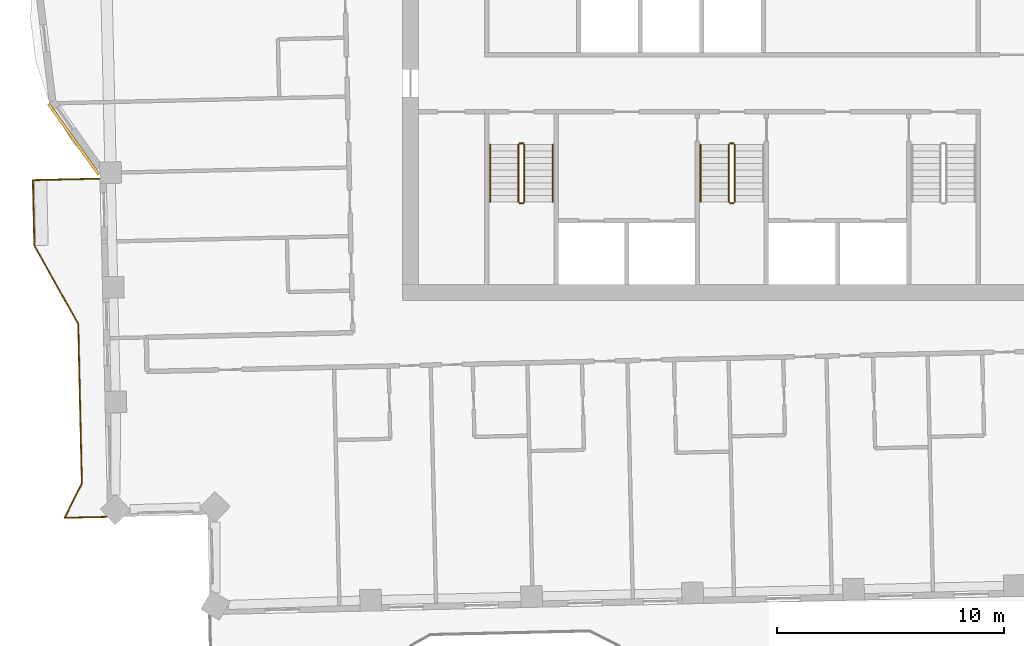
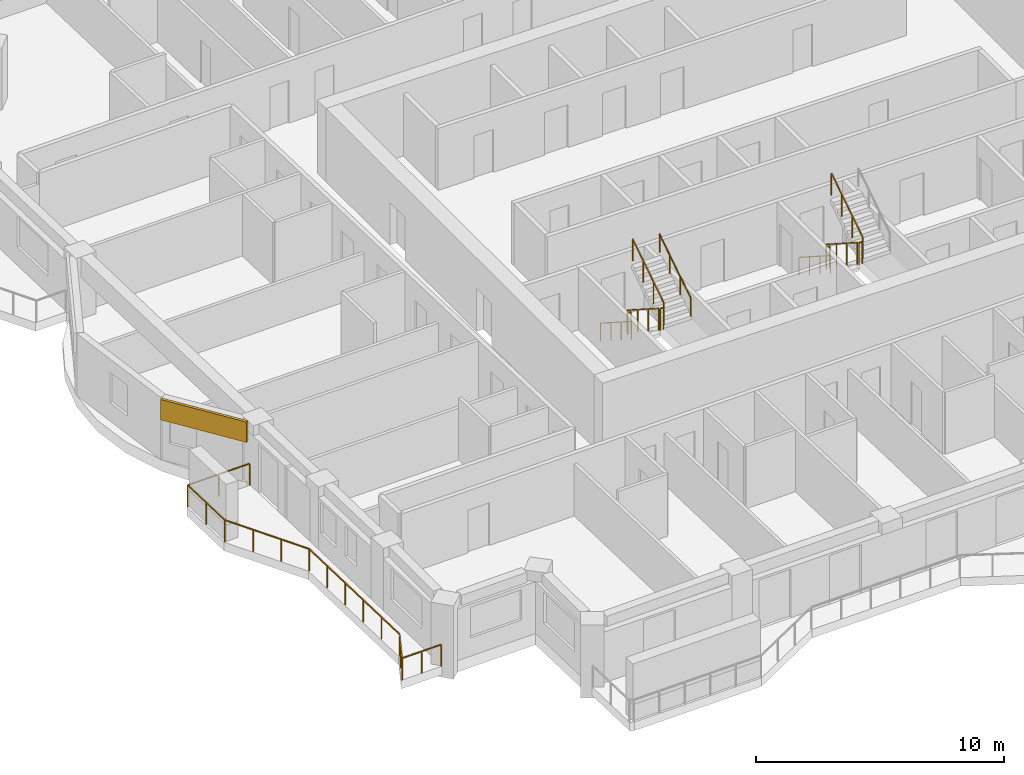
# One storey, part 16 of 19: 12 railings, 1 covering.
"""IFC4 building model written with IfcOpenShell, lengths in metres."""

from ifc_helpers import new_model, si_unit, direction, frame, frame_2d, origin, origin_2d, place, context, subcontext, project, spatial, rectangle, circle, extrude, material, layer, layer_set, type_object, element, save


model = new_model("IFC4")

# Units and contexts
model_context = context("Model", 3, precision=1e-05, world=origin(), true_north=direction((0.0, 1.0)))
body_context = subcontext(model_context, "Body", "Model", "MODEL_VIEW")
ifc_project = project(units=[si_unit("LENGTHUNIT", "METRE"), si_unit("AREAUNIT", "SQUARE_METRE"), si_unit("VOLUMEUNIT", "CUBIC_METRE"), si_unit("PLANEANGLEUNIT", "RADIAN"), si_unit("MASSUNIT", "GRAM", prefix="KILO")], contexts=[model_context])

# Site, building, storey
site_placement = place(None, origin())
site = spatial("IfcSite", under=ifc_project, at=site_placement, CompositionType="ELEMENT")
building_placement = place(site_placement, origin())
building = spatial("IfcBuilding", under=site, at=building_placement, Name="Mangrove Gate Tower", CompositionType="ELEMENT")
storey_placement = place(building_placement, frame((0.0, 0.0, 283.5)))
storey = spatial("IfcBuildingStorey", under=building, at=storey_placement, Name="L72", CompositionType="ELEMENT", Elevation=283.5)

# Railings
ifc_material_1 = material(Name="Stainless steel grade 316 with laminated glass infill", Category="steel")
railing_type_1 = type_object("IfcRailingType", Name="Balcony guard 1100", PredefinedType="GUARDRAIL", material=ifc_material_1)
railing_1_placement = place(storey_placement, frame((-27.839111328125, -6.14501953125, 0.0)))
element("IfcRailing", 1, at=railing_1_placement, inside=storey, type_object=railing_type_1, Name="GUARD L72 W2", PredefinedType="GUARDRAIL", context=body_context, shape_type="SweptSolid", body=[
    extrude(rectangle(XDim=0.048095703125, YDim=0.048095703125, at=origin_2d()), frame((0.0, 0.0, 1.076171875), z_axis=(-0.999743349437, -0.022654696127, 0.0), x_axis=(0.022654696127, -0.999743349437, 0.0)), (0.0, 0.0, 1.0), 2.90966796875),
    extrude(rectangle(XDim=0.048095703125, YDim=0.048095703125, at=origin_2d()), frame((-2.908935546875, -0.06591796875, 1.076171875), z_axis=(0.022590224177, -0.999744808324, 0.0), x_axis=(0.999744808324, 0.022590224177, 0.0)), (0.0, 0.0, 1.0), 2.874755859375),
    extrude(rectangle(XDim=0.048095703125, YDim=0.048095703125, at=origin_2d()), frame((-2.843994140625, -2.93994140625, 1.076171875), z_axis=(0.487307108654, -0.873230657876, 0.0), x_axis=(0.873230657876, 0.487307108654, 0.0)), (0.0, 0.0, 1.0), 3.958984375),
    extrude(rectangle(XDim=0.048095703125, YDim=0.048095703125, at=origin_2d()), frame((-0.914794921875, -6.39697265625, 1.076171875), z_axis=(0.022705559911, -0.999742195543, 0.0), x_axis=(0.999742195543, 0.022705559911, 0.0)), (0.0, 0.0, 1.0), 6.999755859375),
    extrude(rectangle(XDim=0.048095703125, YDim=0.048095703125, at=origin_2d()), frame((-0.755859375, -13.39501953125, 1.076171875), z_axis=(-0.4472135955, -0.894427191, 0.0), x_axis=(0.894427191, -0.4472135955, 0.0)), (0.0, 0.0, 1.0), 1.697265625),
    extrude(rectangle(XDim=0.048095703125, YDim=0.048095703125, at=origin_2d()), frame((-1.514892578125, -14.9130859375, 1.076171875), z_axis=(0.999743329406, 0.02265558006, 0.0), x_axis=(-0.02265558006, 0.999743329406, 0.0)), (0.0, 0.0, 1.0), 1.853515625),
    extrude(rectangle(XDim=0.0419921875, YDim=0.0419921875, at=origin_2d()), origin(), (0.0, 0.0, 1.0), 1.052001953125),
    extrude(rectangle(XDim=0.0419921875, YDim=0.0419921875, at=origin_2d()), frame((-1.45458984375, -0.032958984375, 0.0)), (0.0, 0.0, 1.0), 1.052001953125),
    extrude(rectangle(XDim=0.0419921875, YDim=0.0419921875, at=origin_2d()), frame((-2.908935546875, -0.06591796875, 0.0)), (0.0, 0.0, 1.0), 1.052001953125),
    extrude(rectangle(XDim=0.0419921875, YDim=0.0419921875, at=origin_2d()), frame((-2.87646484375, -1.5029296875, 0.0)), (0.0, 0.0, 1.0), 1.052001953125),
    extrude(rectangle(XDim=0.0419921875, YDim=0.0419921875, at=origin_2d()), frame((-2.843994140625, -2.93994140625, 0.0)), (0.0, 0.0, 1.0), 1.052001953125),
    extrude(rectangle(XDim=0.0419921875, YDim=0.0419921875, at=origin_2d()), frame((-2.200927734375, -4.09228515625, 0.0)), (0.0, 0.0, 1.0), 1.052001953125),
    extrude(rectangle(XDim=0.0419921875, YDim=0.0419921875, at=origin_2d()), frame((-1.557861328125, -5.24462890625, 0.0)), (0.0, 0.0, 1.0), 1.052001953125),
    extrude(rectangle(XDim=0.0419921875, YDim=0.0419921875, at=origin_2d()), frame((-0.914794921875, -6.39697265625, 0.0)), (0.0, 0.0, 1.0), 1.052001953125),
    extrude(rectangle(XDim=0.0419921875, YDim=0.0419921875, at=origin_2d()), frame((-0.883056640625, -7.796630859375, 0.0)), (0.0, 0.0, 1.0), 1.052001953125),
    extrude(rectangle(XDim=0.0419921875, YDim=0.0419921875, at=origin_2d()), frame((-0.851318359375, -9.1962890625, 0.0)), (0.0, 0.0, 1.0), 1.052001953125),
    extrude(rectangle(XDim=0.0419921875, YDim=0.0419921875, at=origin_2d()), frame((-0.8193359375, -10.595703125, 0.0)), (0.0, 0.0, 1.0), 1.052001953125),
    extrude(rectangle(XDim=0.0419921875, YDim=0.0419921875, at=origin_2d()), frame((-0.78759765625, -11.995361328125, 0.0)), (0.0, 0.0, 1.0), 1.052001953125),
    extrude(rectangle(XDim=0.0419921875, YDim=0.0419921875, at=origin_2d()), frame((-0.755859375, -13.39501953125, 0.0)), (0.0, 0.0, 1.0), 1.052001953125),
    extrude(rectangle(XDim=0.0419921875, YDim=0.0419921875, at=origin_2d()), frame((-1.13525390625, -14.154052734375, 0.0)), (0.0, 0.0, 1.0), 1.052001953125),
    extrude(rectangle(XDim=0.0419921875, YDim=0.0419921875, at=origin_2d()), frame((-1.514892578125, -14.9130859375, 0.0)), (0.0, 0.0, 1.0), 1.052001953125),
    extrude(rectangle(XDim=0.0419921875, YDim=0.0419921875, at=origin_2d()), frame((-0.58837890625, -14.89208984375, 0.0)), (0.0, 0.0, 1.0), 1.052001953125),
    extrude(rectangle(XDim=0.0419921875, YDim=0.0419921875, at=origin_2d()), frame((0.338134765625, -14.87109375, 0.0)), (0.0, 0.0, 1.0), 1.052001953125),
])
ifc_material_2 = material(Name="Stainless steel 316", Category="steel")
railing_type_2 = type_object("IfcRailingType", Name="Core stair guard 1100", PredefinedType="GUARDRAIL", material=ifc_material_2)
railing_2_placement = place(storey_placement, frame((-9.39990234375, -4.64990234375, 0.179931640625)))
element("IfcRailing", 2, at=railing_2_placement, inside=storey, type_object=railing_type_2, Name="L72 ST1 stair guard 1", PredefinedType="GUARDRAIL", context=body_context, shape_type="SweptSolid", body=[
    extrude(rectangle(XDim=0.048095703125, YDim=0.048095703125, at=origin_2d()), frame((0.0, 0.0, 1.076171875), z_axis=(0.0, -0.841162588446, 0.540782303519), x_axis=(1.0, 0.0, 0.0)), (0.0, 0.0, 1.0), 2.995849609375),
    extrude(rectangle(XDim=0.0419921875, YDim=0.0419921875, at=origin_2d()), origin(), (0.0, 0.0, 1.0), 1.052001953125),
    extrude(rectangle(XDim=0.0419921875, YDim=0.0419921875, at=origin_2d()), frame((0.0, -0.840087890625, 0.5400390625)), (0.0, 0.0, 1.0), 1.052001953125),
    extrude(rectangle(XDim=0.0419921875, YDim=0.0419921875, at=origin_2d()), frame((0.0, -1.679931640625, 1.080078125)), (0.0, 0.0, 1.0), 1.052001953125),
    extrude(rectangle(XDim=0.0419921875, YDim=0.0419921875, at=origin_2d()), frame((0.0, -2.52001953125, 1.6201171875)), (0.0, 0.0, 1.0), 1.052001953125),
])
railing_3_placement = place(storey_placement, frame((-9.35009765625, -7.219970703125, 1.800048828125)))
element("IfcRailing", 3, at=railing_3_placement, inside=storey, type_object=railing_type_2, Name="L72 ST1 stair guard 2", PredefinedType="GUARDRAIL", context=body_context, shape_type="SweptSolid", body=[
    extrude(rectangle(XDim=0.048095703125, YDim=0.048095703125, at=origin_2d()), frame((0.0, 0.0, 1.076171875), z_axis=(1.0, 0.0, 0.0), x_axis=(0.0, 1.0, 0.0)), (0.0, 0.0, 1.0), 0.150146484375),
    extrude(rectangle(XDim=0.0419921875, YDim=0.0419921875, at=origin_2d()), origin(), (0.0, 0.0, 1.0), 1.052001953125),
    extrude(rectangle(XDim=0.0419921875, YDim=0.0419921875, at=origin_2d()), frame((0.150146484375, 0.0, 0.0)), (0.0, 0.0, 1.0), 1.052001953125),
])
railing_4_placement = place(storey_placement, frame((-9.14990234375, -7.169921875, 1.97998046875)))
element("IfcRailing", 4, at=railing_4_placement, inside=storey, type_object=railing_type_2, Name="L72 ST1 stair guard 3", PredefinedType="GUARDRAIL", context=body_context, shape_type="SweptSolid", body=[
    extrude(rectangle(XDim=0.048095703125, YDim=0.048095703125, at=origin_2d()), frame((0.0, 0.0, 1.076171875), z_axis=(0.0, 0.841162588446, 0.540782303519), x_axis=(-1.0, 0.0, 0.0)), (0.0, 0.0, 1.0), 2.995849609375),
    extrude(rectangle(XDim=0.0419921875, YDim=0.0419921875, at=origin_2d()), origin(), (0.0, 0.0, 1.0), 1.052001953125),
    extrude(rectangle(XDim=0.0419921875, YDim=0.0419921875, at=origin_2d()), frame((0.0, 0.840087890625, 0.5400390625)), (0.0, 0.0, 1.0), 1.052001953125),
    extrude(rectangle(XDim=0.0419921875, YDim=0.0419921875, at=origin_2d()), frame((0.0, 1.679931640625, 1.080078125)), (0.0, 0.0, 1.0), 1.052001953125),
    extrude(rectangle(XDim=0.0419921875, YDim=0.0419921875, at=origin_2d()), frame((0.0, 2.52001953125, 1.6201171875)), (0.0, 0.0, 1.0), 1.052001953125),
])
railing_5_placement = place(storey_placement, frame((-9.35009765625, -4.60009765625, 0.0)))
element("IfcRailing", 5, at=railing_5_placement, inside=storey, type_object=railing_type_2, Name="L72 ST1 stair guard 4", PredefinedType="GUARDRAIL", context=body_context, shape_type="SweptSolid", body=[
    extrude(rectangle(XDim=0.048095703125, YDim=0.048095703125, at=origin_2d()), frame((0.0, 0.0, 1.076171875), z_axis=(1.0, 0.0, 0.0), x_axis=(0.0, 1.0, 0.0)), (0.0, 0.0, 1.0), 0.150146484375),
    extrude(rectangle(XDim=0.0419921875, YDim=0.0419921875, at=origin_2d()), origin(), (0.0, 0.0, 1.0), 1.052001953125),
    extrude(rectangle(XDim=0.0419921875, YDim=0.0419921875, at=origin_2d()), frame((0.150146484375, 0.0, 0.0)), (0.0, 0.0, 1.0), 1.052001953125),
])
railing_6_placement = place(storey_placement, frame((-0.14990234375, -4.64990234375, 0.179931640625)))
element("IfcRailing", 6, at=railing_6_placement, inside=storey, type_object=railing_type_2, Name="L72 ST2 stair guard 1", PredefinedType="GUARDRAIL", context=body_context, shape_type="SweptSolid", body=[
    extrude(rectangle(XDim=0.048095703125, YDim=0.048095703125, at=origin_2d()), frame((0.0, 0.0, 1.076171875), z_axis=(0.0, -0.841162588446, 0.540782303519), x_axis=(1.0, 0.0, 0.0)), (0.0, 0.0, 1.0), 2.995849609375),
    extrude(rectangle(XDim=0.0419921875, YDim=0.0419921875, at=origin_2d()), origin(), (0.0, 0.0, 1.0), 1.052001953125),
    extrude(rectangle(XDim=0.0419921875, YDim=0.0419921875, at=origin_2d()), frame((0.0, -0.840087890625, 0.5400390625)), (0.0, 0.0, 1.0), 1.052001953125),
    extrude(rectangle(XDim=0.0419921875, YDim=0.0419921875, at=origin_2d()), frame((0.0, -1.679931640625, 1.080078125)), (0.0, 0.0, 1.0), 1.052001953125),
    extrude(rectangle(XDim=0.0419921875, YDim=0.0419921875, at=origin_2d()), frame((0.0, -2.52001953125, 1.6201171875)), (0.0, 0.0, 1.0), 1.052001953125),
])
railing_7_placement = place(storey_placement, frame((-0.10009765625, -7.219970703125, 1.800048828125)))
element("IfcRailing", 7, at=railing_7_placement, inside=storey, type_object=railing_type_2, Name="L72 ST2 stair guard 2", PredefinedType="GUARDRAIL", context=body_context, shape_type="SweptSolid", body=[
    extrude(rectangle(XDim=0.048095703125, YDim=0.048095703125, at=origin_2d()), frame((0.0, 0.0, 1.076171875), z_axis=(1.0, 0.0, 0.0), x_axis=(0.0, 1.0, 0.0)), (0.0, 0.0, 1.0), 0.150146484375),
    extrude(rectangle(XDim=0.0419921875, YDim=0.0419921875, at=origin_2d()), origin(), (0.0, 0.0, 1.0), 1.052001953125),
    extrude(rectangle(XDim=0.0419921875, YDim=0.0419921875, at=origin_2d()), frame((0.150146484375, 0.0, 0.0)), (0.0, 0.0, 1.0), 1.052001953125),
])
railing_8_placement = place(storey_placement, frame((0.10009765625, -7.169921875, 1.97998046875)))
element("IfcRailing", 8, at=railing_8_placement, inside=storey, type_object=railing_type_2, Name="L72 ST2 stair guard 3", PredefinedType="GUARDRAIL", context=body_context, shape_type="SweptSolid", body=[
    extrude(rectangle(XDim=0.048095703125, YDim=0.048095703125, at=origin_2d()), frame((0.0, 0.0, 1.076171875), z_axis=(0.0, 0.841162588446, 0.540782303519), x_axis=(-1.0, 0.0, 0.0)), (0.0, 0.0, 1.0), 2.995849609375),
    extrude(rectangle(XDim=0.0419921875, YDim=0.0419921875, at=origin_2d()), origin(), (0.0, 0.0, 1.0), 1.052001953125),
    extrude(rectangle(XDim=0.0419921875, YDim=0.0419921875, at=origin_2d()), frame((0.0, 0.840087890625, 0.5400390625)), (0.0, 0.0, 1.0), 1.052001953125),
    extrude(rectangle(XDim=0.0419921875, YDim=0.0419921875, at=origin_2d()), frame((0.0, 1.679931640625, 1.080078125)), (0.0, 0.0, 1.0), 1.052001953125),
    extrude(rectangle(XDim=0.0419921875, YDim=0.0419921875, at=origin_2d()), frame((0.0, 2.52001953125, 1.6201171875)), (0.0, 0.0, 1.0), 1.052001953125),
])
railing_9_placement = place(storey_placement, frame((-0.10009765625, -4.60009765625, 0.0)))
element("IfcRailing", 9, at=railing_9_placement, inside=storey, type_object=railing_type_2, Name="L72 ST2 stair guard 4", PredefinedType="GUARDRAIL", context=body_context, shape_type="SweptSolid", body=[
    extrude(rectangle(XDim=0.048095703125, YDim=0.048095703125, at=origin_2d()), frame((0.0, 0.0, 1.076171875), z_axis=(1.0, 0.0, 0.0), x_axis=(0.0, 1.0, 0.0)), (0.0, 0.0, 1.0), 0.150146484375),
    extrude(rectangle(XDim=0.0419921875, YDim=0.0419921875, at=origin_2d()), origin(), (0.0, 0.0, 1.0), 1.052001953125),
    extrude(rectangle(XDim=0.0419921875, YDim=0.0419921875, at=origin_2d()), frame((0.150146484375, 0.0, 0.0)), (0.0, 0.0, 1.0), 1.052001953125),
])
ifc_material_3 = material(Name="Stainless steel 316", Category="steel")
railing_type_3 = type_object("IfcRailingType", Name="Core stair handrail 900", PredefinedType="HANDRAIL", material=ifc_material_3)
railing_10_placement = place(storey_placement, frame((-10.64990234375, -4.64990234375, 0.179931640625)))
element("IfcRailing", 10, at=railing_10_placement, inside=storey, type_object=railing_type_3, Name="L72 ST1 stair handrail 1", PredefinedType="HANDRAIL", context=body_context, shape_type="SweptSolid", body=[
    extrude(circle(Radius=0.02392578125, at=origin_2d()), frame((0.0, 0.0, 0.8759765625), z_axis=(0.0, -0.841162588446, 0.540782303519), x_axis=(1.0, 0.0, 0.0)), (0.0, 0.0, 1.0), 2.995849609375),
    extrude(circle(Radius=0.02099609375, at=origin_2d()), origin(), (0.0, 0.0, 1.0), 0.851806640625),
    extrude(circle(Radius=0.02099609375, at=origin_2d()), frame((0.0, -0.840087890625, 0.5400390625)), (0.0, 0.0, 1.0), 0.851806640625),
    extrude(circle(Radius=0.02099609375, at=origin_2d()), frame((0.0, -1.679931640625, 1.080078125)), (0.0, 0.0, 1.0), 0.851806640625),
    extrude(circle(Radius=0.02099609375, at=origin_2d()), frame((0.0, -2.52001953125, 1.6201171875)), (0.0, 0.0, 1.0), 0.851806640625),
])
railing_11_placement = place(storey_placement, frame((-7.89990234375, -7.169921875, 1.97998046875)))
element("IfcRailing", 11, at=railing_11_placement, inside=storey, type_object=railing_type_3, Name="L72 ST1 stair handrail 2", PredefinedType="HANDRAIL", context=body_context, shape_type="SweptSolid", body=[
    extrude(circle(Radius=0.02392578125, at=origin_2d()), frame((0.0, 0.0, 0.8759765625), z_axis=(0.0, 0.841162588446, 0.540782303519), x_axis=(-1.0, 0.0, 0.0)), (0.0, 0.0, 1.0), 2.995849609375),
    extrude(circle(Radius=0.02099609375, at=origin_2d()), origin(), (0.0, 0.0, 1.0), 0.851806640625),
    extrude(circle(Radius=0.02099609375, at=origin_2d()), frame((0.0, 0.840087890625, 0.5400390625)), (0.0, 0.0, 1.0), 0.851806640625),
    extrude(circle(Radius=0.02099609375, at=origin_2d()), frame((0.0, 1.679931640625, 1.080078125)), (0.0, 0.0, 1.0), 0.851806640625),
    extrude(circle(Radius=0.02099609375, at=origin_2d()), frame((0.0, 2.52001953125, 1.6201171875)), (0.0, 0.0, 1.0), 0.851806640625),
])
railing_12_placement = place(storey_placement, frame((-1.39990234375, -4.64990234375, 0.179931640625)))
element("IfcRailing", 12, at=railing_12_placement, inside=storey, type_object=railing_type_3, Name="L72 ST2 stair handrail 1", PredefinedType="HANDRAIL", context=body_context, shape_type="SweptSolid", body=[
    extrude(circle(Radius=0.02392578125, at=origin_2d()), frame((0.0, 0.0, 0.8759765625), z_axis=(0.0, -0.841162588446, 0.540782303519), x_axis=(1.0, 0.0, 0.0)), (0.0, 0.0, 1.0), 2.995849609375),
    extrude(circle(Radius=0.02099609375, at=origin_2d()), origin(), (0.0, 0.0, 1.0), 0.851806640625),
    extrude(circle(Radius=0.02099609375, at=origin_2d()), frame((0.0, -0.840087890625, 0.5400390625)), (0.0, 0.0, 1.0), 0.851806640625),
    extrude(circle(Radius=0.02099609375, at=origin_2d()), frame((0.0, -1.679931640625, 1.080078125)), (0.0, 0.0, 1.0), 0.851806640625),
    extrude(circle(Radius=0.02099609375, at=origin_2d()), frame((0.0, -2.52001953125, 1.6201171875)), (0.0, 0.0, 1.0), 0.851806640625),
])

# Covering
ifc_material_4 = material(Name="Limestone", Category="masonry")
ifc_layer_1 = layer(ifc_material_4, 0.0400390625, Name="Limestone cladding")
ifc_material_5 = material(Name="Stainless steel anchors and cavity", Category="steel")
ifc_layer_2 = layer(ifc_material_5, 0.080078125, Name="Fixing cavity")
ifc_layer_set = layer_set([ifc_layer_1, ifc_layer_2], Name="Joint fascia cladding 120")
covering_type = type_object("IfcCoveringType", Name="Joint fascia cladding 120", PredefinedType="CLADDING", material=ifc_layer_set)
covering_placement = place(storey_placement, frame((-30.053955078125, -2.85888671875, 2.050048828125), z_axis=(0.0, 0.0, 1.0), x_axis=(0.578137942148, -0.815939041748, 0.0)))
element("IfcCovering", 13, at=covering_placement, inside=storey, type_object=covering_type, Name="STONE FASCIA L72 W9.L2", PredefinedType="CLADDING", context=body_context, shape_type="SweptSolid", body=[
    extrude(rectangle(XDim=3.819091796875, YDim=0.1201171875, at=frame_2d((1.90966796875, 0.0))), origin(), (0.0, 0.0, 1.0), 1.0),
])

save(model, "model.ifc")
